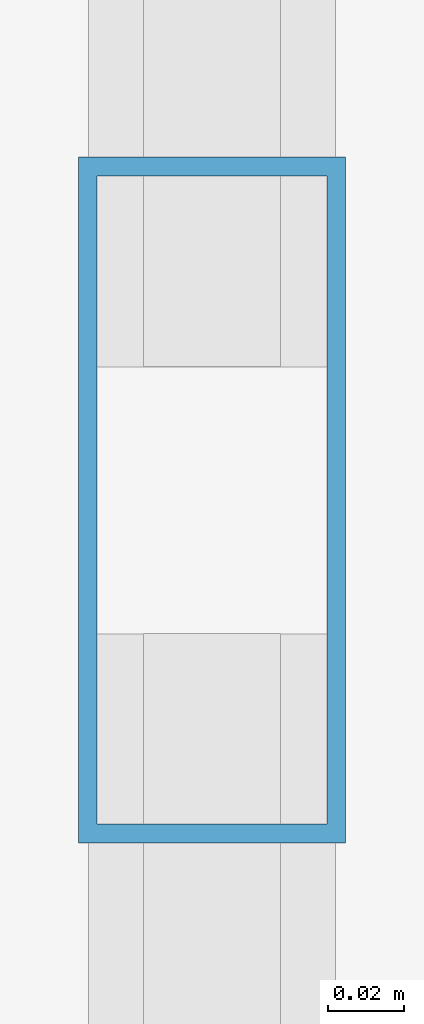
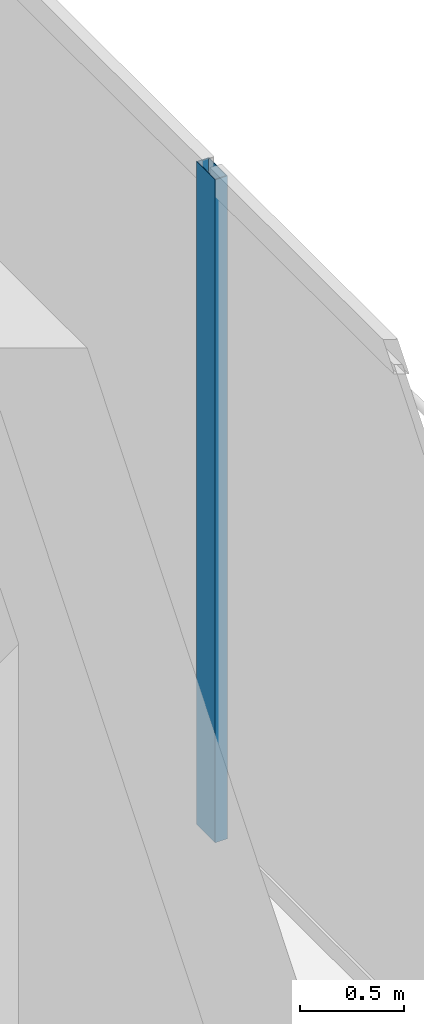
# One storey, part 16 of 34: 1 member, 1 element without a shape of its own.
"""IFC4 building model written with IfcOpenShell, lengths in metres."""

from ifc_helpers import new_model, si_unit, direction, frame, origin, origin_2d, place, context, subcontext, project, spatial, hollow_rectangle, extrude, source, transform, mapped, material, layer, layer_set, material_profile, profile_set, type_object, type_shapes, element, aggregate, save


model = new_model("IFC4")

# Units and contexts
model_context = context("Model", 3, precision=1e-05, world=origin(), true_north=direction((0.0, 1.0)))
body_context = subcontext(model_context, "Body", "Model", "MODEL_VIEW")
ifc_project = project(units=[si_unit("LENGTHUNIT", "METRE"), si_unit("AREAUNIT", "SQUARE_METRE"), si_unit("VOLUMEUNIT", "CUBIC_METRE"), si_unit("PLANEANGLEUNIT", "RADIAN"), si_unit("MASSUNIT", "GRAM", prefix="KILO")], contexts=[model_context])

# Site, building, storey
site_placement = place(None, origin())
site = spatial("IfcSite", under=ifc_project, at=site_placement, CompositionType="ELEMENT")
building_placement = place(site_placement, origin())
building = spatial("IfcBuilding", under=site, at=building_placement, Name="Haelvirn Gate Laboratories", CompositionType="ELEMENT")
storey_placement = place(building_placement, frame((0.0, 0.0, 297.60009765625)))
storey = spatial("IfcBuildingStorey", under=building, at=storey_placement, Name="L71", CompositionType="ELEMENT", Elevation=297.60009765625)

# Curtain wall, member
ifc_material_1 = material(Name="Anodised bronze unitised aluminium & triple low-E glass", Category="aluminium")
ifc_layer = layer(ifc_material_1, 0.176025390625, Name="CW-SYS-4")
ifc_layer_set = layer_set([ifc_layer], Name="Anodised bronze unitised aluminium & triple low-E glass")
curtain_wall_type = type_object("IfcCurtainWallType", Name="CW-SYS-4", PredefinedType="NOTDEFINED", material=ifc_layer_set)
curtain_wall_placement = place(storey_placement, origin())
curtain_wall = element("IfcCurtainWall", 1, at=curtain_wall_placement, inside=storey, type_object=curtain_wall_type, Name="L71 Unitised Curtain Wall CW-L71-P0-E07", PredefinedType="NOTDEFINED")
ifc_material_2 = material(Name="Extruded aluminium 6063-T6 (anodised bronze)", Category="aluminium")
ifc_material_profile = material_profile(ifc_material_2, hollow_rectangle(XDim=0.070068359375, YDim=0.179931640625, WallThickness=0.0048828125, at=origin_2d()), Name="CWM-180x70x5")
ifc_profile_set = profile_set([ifc_material_profile], Name="Extruded aluminium 6063-T6 (anodised bronze)")
member_type = type_object("IfcMemberType", Name="CWM-T180", PredefinedType="MULLION", material=ifc_profile_set)
shared_shape = source(origin(), body_context, "Body", "SweptSolid", [
    extrude(hollow_rectangle(XDim=0.070068359375, YDim=0.179931640625, WallThickness=0.0048828125, at=origin_2d()), origin(), (0.0, 0.0, 1.0), 3.89990234375),
])
type_shapes(member_type, [shared_shape])
member_placement = place(storey_placement, frame((68.89990234375, 24.300048828125, 0.0), z_axis=(0.0, 0.0, 1.0), x_axis=(-1.0, 0.0, 0.0)))
member = element("IfcMember", 2, at=member_placement, type_object=member_type, Name="CW4 mullion 2", PredefinedType="MULLION", context=body_context, shape_type="MappedRepresentation", body=[
    mapped(shared_shape, transform((0.0, 0.0, 0.0), scale=1.0)),
])
aggregate(curtain_wall, [member])

save(model, "model.ifc")
